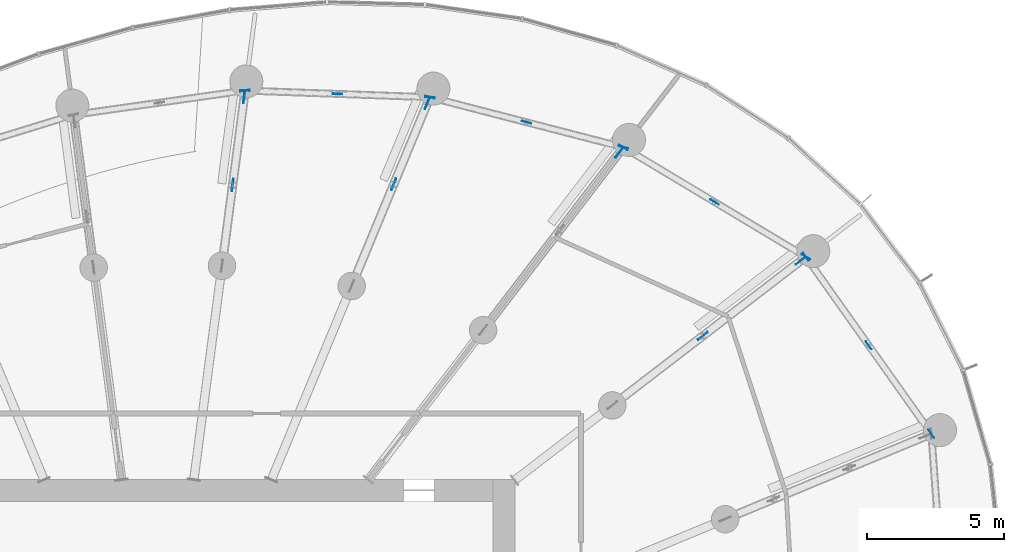
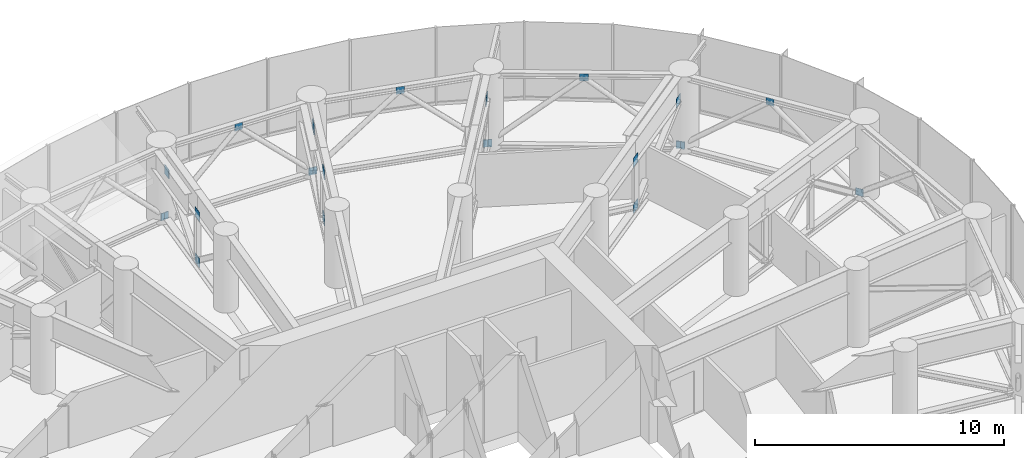
# One storey, part 30 of 33: 23 discrete accessories.
"""IFC4 building model written with IfcOpenShell, lengths in metres."""

import ifcopenshell
import ifcopenshell.guid

model = None  # the IFC model being written
_history = None  # IfcOwnerHistory: only IFC2X3 demands one
_inside = {}  # id of a spatial element -> (the spatial element, [elements in it])
_under = {}  # id of a project, library or spatial element -> (it, [spatial elements below it])
_declared = {}  # id of a project -> (the project, [libraries it declares])
_typed = {}  # id of a type object -> (the type object, [elements of that type])
_made_of = {}  # id of a material, layer set ... -> (it, [elements and type objects made of it])


def new_model(schema):
    """Start an empty IFC model of exactly this schema.

    Asked for "IFC4X3", IfcOpenShell would pick the latest addendum, in which some entities
    have other attributes; the version numbers below select the first issue.
    IFC2X3 requires an IfcOwnerHistory on every rooted entity: one is made here for all.
    """
    global model, _history
    if schema == "IFC4X3":
        model = ifcopenshell.file(schema_version=(4, 3, 0, 0))
    else:
        model = ifcopenshell.file(schema=schema)
    _inside.clear()
    _under.clear()
    _declared.clear()
    _typed.clear()
    _made_of.clear()
    _history = None
    if model.schema == "IFC2X3":
        org = make("IfcOrganization", Name="unknown")
        user = make(
            "IfcPersonAndOrganization",
            ThePerson=make("IfcPerson", FamilyName="unknown"),
            TheOrganization=org,
        )
        app = make(
            "IfcApplication",
            ApplicationDeveloper=org,
            Version="unknown",
            ApplicationFullName="unknown",
            ApplicationIdentifier="unknown",
        )
        _history = make(
            "IfcOwnerHistory",
            OwningUser=user,
            OwningApplication=app,
            ChangeAction="ADDED",
            CreationDate=0,
        )
    return model


def make(cls, **values):
    """One entity of the class cls with the attributes given. An attribute that is None is left unset."""
    return model.create_entity(
        cls, **{name: value for name, value in values.items() if value is not None}
    )


def rooted(cls, **values):
    """An entity with a GlobalId (a new one), such as an element, a storey or a relation."""
    return make(cls, GlobalId=ifcopenshell.guid.new(), OwnerHistory=_history, **values)


def si_unit(unit_type, name, prefix=None):
    """IfcSIUnit, for example si_unit("LENGTHUNIT", "METRE", prefix="MILLI")."""
    return make("IfcSIUnit", UnitType=unit_type, Prefix=prefix, Name=name)


def assignment(units):
    """IfcUnitAssignment: the units of a project."""
    return None if units is None else make("IfcUnitAssignment", Units=units)


def point(xyz):
    """IfcCartesianPoint."""
    return None if xyz is None else make("IfcCartesianPoint", Coordinates=xyz)


def direction(xyz):
    """IfcDirection."""
    return None if xyz is None else make("IfcDirection", DirectionRatios=xyz)


def frame(location, z_axis=None, x_axis=None):
    """IfcAxis2Placement3D, a coordinate frame: its origin and axes. An axis left out is left unset."""
    return make(
        "IfcAxis2Placement3D",
        Location=point(location),
        Axis=direction(z_axis),
        RefDirection=direction(x_axis),
    )


def frame_2d(location, x_axis=None):
    """IfcAxis2Placement2D, a coordinate frame in the plane: its origin and x axis."""
    return make(
        "IfcAxis2Placement2D", Location=point(location), RefDirection=direction(x_axis)
    )


def origin():
    """The frame at (0, 0, 0) with its axes left unset."""
    return frame((0.0, 0.0, 0.0))


def origin_2d():
    """The frame at (0, 0) in the plane with its x axis left unset."""
    return frame_2d((0.0, 0.0))


def place(relative_to, where):
    """IfcLocalPlacement: puts the frame where relative to a parent placement (None: the world)."""
    return make(
        "IfcLocalPlacement", PlacementRelTo=relative_to, RelativePlacement=where
    )


def context(
    kind, dimensions, precision=None, world=None, true_north=None, identifier=None
):
    """IfcGeometricRepresentationContext, for example the 3D "Model" context."""
    return make(
        "IfcGeometricRepresentationContext",
        ContextIdentifier=identifier,
        ContextType=kind,
        CoordinateSpaceDimension=dimensions,
        Precision=precision,
        WorldCoordinateSystem=world,
        TrueNorth=true_north,
    )


def subcontext(parent, identifier, kind, view, scale=None):
    """IfcGeometricRepresentationSubContext, for example "Body" below "Model"."""
    return make(
        "IfcGeometricRepresentationSubContext",
        ContextIdentifier=identifier,
        ContextType=kind,
        ParentContext=parent,
        TargetScale=scale,
        TargetView=view,
    )


def project(units=None, contexts=None):
    """IfcProject with its units and contexts."""
    return rooted(
        "IfcProject",
        Name="project",
        RepresentationContexts=contexts,
        UnitsInContext=assignment(units),
    )


def spatial(cls, under=None, at=None, **own):
    """A site, building, storey or space (cls), placed at a placement, below another one or the project."""
    s = rooted(cls, ObjectPlacement=at, **own)
    if under is not None:
        _under.setdefault(under.id(), (under, []))[1].append(s)
    return s


def profile(cls, at=None, kind="AREA", **sizes):
    """A parametric profile (cls). Its sizes go by their IFC names, for example OverallWidth=200.0."""
    return make(cls, ProfileType=kind, Position=at, **sizes)


def rectangle(**sizes):
    """IfcRectangleProfileDef."""
    return profile("IfcRectangleProfileDef", **sizes)


def extrude(swept, where, along, depth):
    """IfcExtrudedAreaSolid: the profile swept, set in the frame where, extruded along a direction by depth."""
    return make(
        "IfcExtrudedAreaSolid",
        SweptArea=swept,
        Position=where,
        ExtrudedDirection=direction(along),
        Depth=depth,
    )


def shape(context_of_items, identifier, shape_type, items):
    """IfcShapeRepresentation: the items that make up one representation, for example the "Body"."""
    return make(
        "IfcShapeRepresentation",
        ContextOfItems=context_of_items,
        RepresentationIdentifier=identifier,
        RepresentationType=shape_type,
        Items=items,
    )


def source(mapping_origin, context_of_items, identifier, shape_type, items):
    """IfcRepresentationMap: a shape defined once, which mapped items show again and again."""
    return make(
        "IfcRepresentationMap",
        MappingOrigin=mapping_origin,
        MappedRepresentation=shape(context_of_items, identifier, shape_type, items),
    )


def transform(
    local_origin,
    x_axis=None,
    y_axis=None,
    z_axis=None,
    scale=None,
    scale2=None,
    scale3=None,
    uniform=True,
):
    """IfcCartesianTransformationOperator3D, or its non-uniform kind. x_axis, y_axis, z_axis: its Axis1, 2, 3."""
    if uniform:
        return make(
            "IfcCartesianTransformationOperator3D",
            Axis1=direction(x_axis),
            Axis2=direction(y_axis),
            LocalOrigin=point(local_origin),
            Scale=scale,
            Axis3=direction(z_axis),
        )
    return make(
        "IfcCartesianTransformationOperator3DnonUniform",
        Axis1=direction(x_axis),
        Axis2=direction(y_axis),
        LocalOrigin=point(local_origin),
        Scale=scale,
        Axis3=direction(z_axis),
        Scale2=scale2,
        Scale3=scale3,
    )


def mapped(mapping_source, mapping_target):
    """IfcMappedItem: shows the shape of a source again, moved by a transform."""
    return make(
        "IfcMappedItem", MappingSource=mapping_source, MappingTarget=mapping_target
    )


def material(Name=None, Category=None):
    """IfcMaterial."""
    return make("IfcMaterial", Name=Name, Category=Category)


def layer(
    of_material, thickness, ventilated=None, Name=None, Category=None, Priority=None
):
    """IfcMaterialLayer: one layer of a wall or slab, of a material (None: an air gap)."""
    return make(
        "IfcMaterialLayer",
        Material=of_material,
        LayerThickness=thickness,
        IsVentilated=ventilated,
        Name=Name,
        Category=Category,
        Priority=Priority,
    )


def layer_set(layers, Name=None):
    """IfcMaterialLayerSet."""
    return make("IfcMaterialLayerSet", MaterialLayers=layers, LayerSetName=Name)


def made_of(thing, what):
    """Note that an element or type object is made of a material, layer set ...; save() writes the relation."""
    if what is not None:
        _made_of.setdefault(what.id(), (what, []))[1].append(thing)
    return thing


def type_object(cls, material=None, **own):
    """A type object (cls), such as IfcWallType, which elements share."""
    return made_of(rooted(cls, **own), material)


def element(
    cls,
    number,
    at=None,
    inside=None,
    cuts=None,
    type_object=None,
    material=None,
    context=None,
    identifier="Body",
    shape_type=None,
    held_by="IfcProductDefinitionShape",
    body=None,
    shapes=None,
    **own,
):
    """One element of the class cls, such as IfcWall. Its Tag is "e" and its number.

    at: its placement. inside: the storey or other place that contains it. cuts: it is an
    opening in that element (IfcRelVoidsElement). A single representation is given by context,
    identifier, shape_type and body (its items); several are given by shapes. held_by: the class
    of the entity that holds the representations. save() writes the other relations.
    """
    e = rooted(cls, Tag="e%d" % number, ObjectPlacement=at, **own)
    if body is not None:
        shapes = [shape(context, identifier, shape_type, body)]
    if shapes is not None:
        e.Representation = make(held_by, Representations=shapes)
    if inside is not None:
        _inside.setdefault(inside.id(), (inside, []))[1].append(e)
    if cuts is not None:
        rooted(
            "IfcRelVoidsElement", RelatingBuildingElement=cuts, RelatedOpeningElement=e
        )
    if type_object is not None:
        _typed.setdefault(type_object.id(), (type_object, []))[1].append(e)
    return made_of(e, material)


def aggregate(whole, parts):
    """IfcRelAggregates: a whole, such as a stair, and the parts it consists of."""
    return rooted("IfcRelAggregates", RelatingObject=whole, RelatedObjects=parts)


def save(model, path):
    """Write the relations noted so far, then the file.

    IfcRelAggregates (storeys below a building ...), IfcRelContainedInSpatialStructure (elements
    in a storey), IfcRelDefinesByType, IfcRelAssociatesMaterial and IfcRelDeclares: one each for
    every whole, place, type object, material and project.
    """
    for whole, parts in _under.values():
        aggregate(whole, parts)
    for where, things in _inside.values():
        rooted(
            "IfcRelContainedInSpatialStructure",
            RelatedElements=things,
            RelatingStructure=where,
        )
    for kind, things in _typed.values():
        rooted("IfcRelDefinesByType", RelatedObjects=things, RelatingType=kind)
    for what, things in _made_of.values():
        rooted("IfcRelAssociatesMaterial", RelatedObjects=things, RelatingMaterial=what)
    for by, libraries in _declared.values():
        rooted("IfcRelDeclares", RelatingContext=by, RelatedDefinitions=libraries)
    model.write(path)


model = new_model("IFC4")

# Units and contexts
model_context = context("Model", 3, precision=1e-05, world=origin(), true_north=direction((0.0, 1.0)))
body_context = subcontext(model_context, "Body", "Model", "MODEL_VIEW")
ifc_project = project(units=[si_unit("LENGTHUNIT", "METRE"), si_unit("AREAUNIT", "SQUARE_METRE"), si_unit("VOLUMEUNIT", "CUBIC_METRE"), si_unit("PLANEANGLEUNIT", "RADIAN"), si_unit("MASSUNIT", "GRAM", prefix="KILO")], contexts=[model_context])

# Site, building, storey
site_placement = place(None, origin())
site = spatial("IfcSite", under=ifc_project, at=site_placement, CompositionType="ELEMENT")
building_placement = place(site_placement, origin())
building = spatial("IfcBuilding", under=site, at=building_placement, Name="Spindrift Exchange Tower", CompositionType="ELEMENT")
storey_placement = place(building_placement, frame((0.0, 0.0, 129.0)))
storey = spatial("IfcBuildingStorey", under=building, at=storey_placement, Name="L30", CompositionType="ELEMENT", Elevation=129.0)

# Discrete accessories
ifc_material = material(Name="Steel Grade 350", Category="steel")
ifc_layer_1 = layer(ifc_material, 0.02490234375)
ifc_layer_set_1 = layer_set([ifc_layer_1], Name="Gusset plate 450x450x25 Steel Grade 350")
discrete_accessory_type_1 = type_object("IfcDiscreteAccessoryType", Name="Gusset plate 450x450x25 Steel Grade 350", PredefinedType="USERDEFINED", material=ifc_layer_set_1)
shared_shape_1 = source(origin(), body_context, "Body", "SweptSolid", [
    extrude(rectangle(XDim=0.449951171875, YDim=0.02490234375, at=origin_2d()), origin(), (0.0, 0.0, 1.0), 0.449951171875),
])
for number, where, z_axis, x_axis, name in (
    (1, (71.825927734375, 63.212890625, 0.09619140625), (0.0, 0.0, 1.0), (0.793358652707, 0.608754505672, 0.0), "L30 gusset plate GP1 03"),
    (2, (75.38818359375, 65.9462890625, 2.35498046875), (0.0, 0.0, 1.0), (0.793350152813, 0.608765582989, 0.0), "L30 gusset plate GP1 03"),
    (3, (71.825927734375, 63.212890625, 2.35498046875), (0.0, 0.0, 1.0), (0.793353340291, 0.608761429009, 0.0), "L30 gusset plate GP1 03"),
    (4, (68.792724609375, 69.884765625, 2.35498046875), (0.0, 0.0, 1.0), (0.608751736324, 0.793360777656, 0.0), "L30 gusset plate GP1 04"),
    (5, (60.5869140625, 68.73095703125, 0.09619140625), (0.0, 0.0, 1.0), (0.382678594938, 0.923881536224, 0.0), "L30 gusset plate GP1 05"),
    (6, (61.806884765625, 71.67626953125, 2.35498046875), (0.0, 0.0, 1.0), (0.38267698246, 0.923882204123, 0.0), "L30 gusset plate GP1 05"),
    (7, (60.5869140625, 68.73095703125, 2.35498046875), (0.0, 0.0, 1.0), (0.382683432365, 0.923879532511, 0.0), "L30 gusset plate GP1 05"),
    (8, (54.725830078125, 68.705322265625, 0.09619140625), (0.0, 0.0, 1.0), (0.130527922618, 0.991444633561, 0.0), "L30 gusset plate GP1 06"),
    (9, (55.146728515625, 71.90185546875, 2.35498046875), (0.0, 0.0, 1.0), (0.130517540226, 0.991446000392, 0.0), "L30 gusset plate GP1 06"),
    (10, (54.725830078125, 68.705322265625, 2.35498046875), (0.0, 0.0, 1.0), (0.13052619222, 0.991444861374, 0.0), "L30 gusset plate GP1 06"),
):
    element("IfcDiscreteAccessory", number, at=place(storey_placement, frame(where, z_axis=z_axis, x_axis=x_axis)), inside=storey, type_object=discrete_accessory_type_1, Name=name, ObjectType="Gusset plate", PredefinedType="USERDEFINED", context=body_context, shape_type="MappedRepresentation", body=[
        mapped(shared_shape_1, transform((0.0, 0.0, 0.0), scale=1.0)),
    ])
ifc_layer_2 = layer(ifc_material, 0.02001953125)
ifc_layer_set_2 = layer_set([ifc_layer_2], Name="Gusset plate 350x350x20 Steel Grade 350")
discrete_accessory_type_2 = type_object("IfcDiscreteAccessoryType", Name="Gusset plate 350x350x20 Steel Grade 350", PredefinedType="USERDEFINED", material=ifc_layer_set_2)
shared_shape_2 = source(origin(), body_context, "Body", "SweptSolid", [
    extrude(rectangle(XDim=0.35009765625, YDim=0.02001953125, at=origin_2d()), origin(), (0.0, 0.0, 1.0), 0.35009765625),
])
for number, where, z_axis, x_axis, name in (
    (11, (80.141357421875, 59.656494140625, 0.078857421875), (0.0, 0.0, 1.0), (-0.578368880861, 0.815775359797, 0.0), "L30 gusset plate GP2 02"),
    (12, (77.85986328125, 62.87451171875, 3.350830078125), (0.0, 0.0, 1.0), (-0.578368880861, 0.815775359797, 0.0), "L30 gusset plate GP2 02"),
    (13, (75.57861328125, 66.09228515625, 0.078857421875), (0.0, 0.0, 1.0), (-0.578364609463, 0.815778388118, 0.0), "L30 gusset plate GP2 02"),
    (14, (75.57861328125, 66.09228515625, 0.078857421875), (0.0, 0.0, 1.0), (-0.857566159785, 0.514373678945, 0.0), "L30 gusset plate GP2 03"),
    (15, (72.258544921875, 68.083740234375, 3.350830078125), (0.0, 0.0, 1.0), (-0.857566159785, 0.514373678945, 0.0), "L30 gusset plate GP2 03"),
    (16, (68.938720703125, 70.0751953125, 0.078857421875), (0.0, 0.0, 1.0), (-0.857547306429, 0.514405110041, 0.0), "L30 gusset plate GP2 03"),
    (17, (68.938720703125, 70.0751953125, 0.078857421875), (0.0, 0.0, 1.0), (-0.968074620999, 0.250662179393, 0.0), "L30 gusset plate GP2 04"),
    (18, (65.4189453125, 70.986572265625, 3.350830078125), (0.0, 0.0, 1.0), (-0.968074620999, 0.250662179393, 0.0), "L30 gusset plate GP2 04"),
    (19, (61.89892578125, 71.89794921875, 0.078857421875), (0.0, 0.0, 1.0), (-0.968069808452, 0.250680765046, 0.0), "L30 gusset plate GP2 04"),
    (20, (61.89892578125, 71.89794921875, 0.078857421875), (0.0, 0.0, 1.0), (-0.999354485014, 0.035925106579, 0.0), "L30 gusset plate GP2 05"),
    (21, (58.53857421875, 72.018798828125, 3.350830078125), (0.0, 0.0, 1.0), (-0.999354485014, 0.035925106579, 0.0), "L30 gusset plate GP2 05"),
    (22, (55.177978515625, 72.1396484375, 0.078857421875), (0.0, 0.0, 1.0), (-0.999353481406, 0.035953013807, 0.0), "L30 gusset plate GP2 05"),
    (23, (55.177978515625, 72.1396484375, 0.078857421875), (0.0, 0.0, 1.0), (-0.990171154486, -0.139860948171, 0.0), "L30 gusset plate GP2 06"),
):
    element("IfcDiscreteAccessory", number, at=place(storey_placement, frame(where, z_axis=z_axis, x_axis=x_axis)), inside=storey, type_object=discrete_accessory_type_2, Name=name, ObjectType="Gusset plate", PredefinedType="USERDEFINED", context=body_context, shape_type="MappedRepresentation", body=[
        mapped(shared_shape_2, transform((0.0, 0.0, 0.0), scale=1.0)),
    ])

save(model, "model.ifc")
